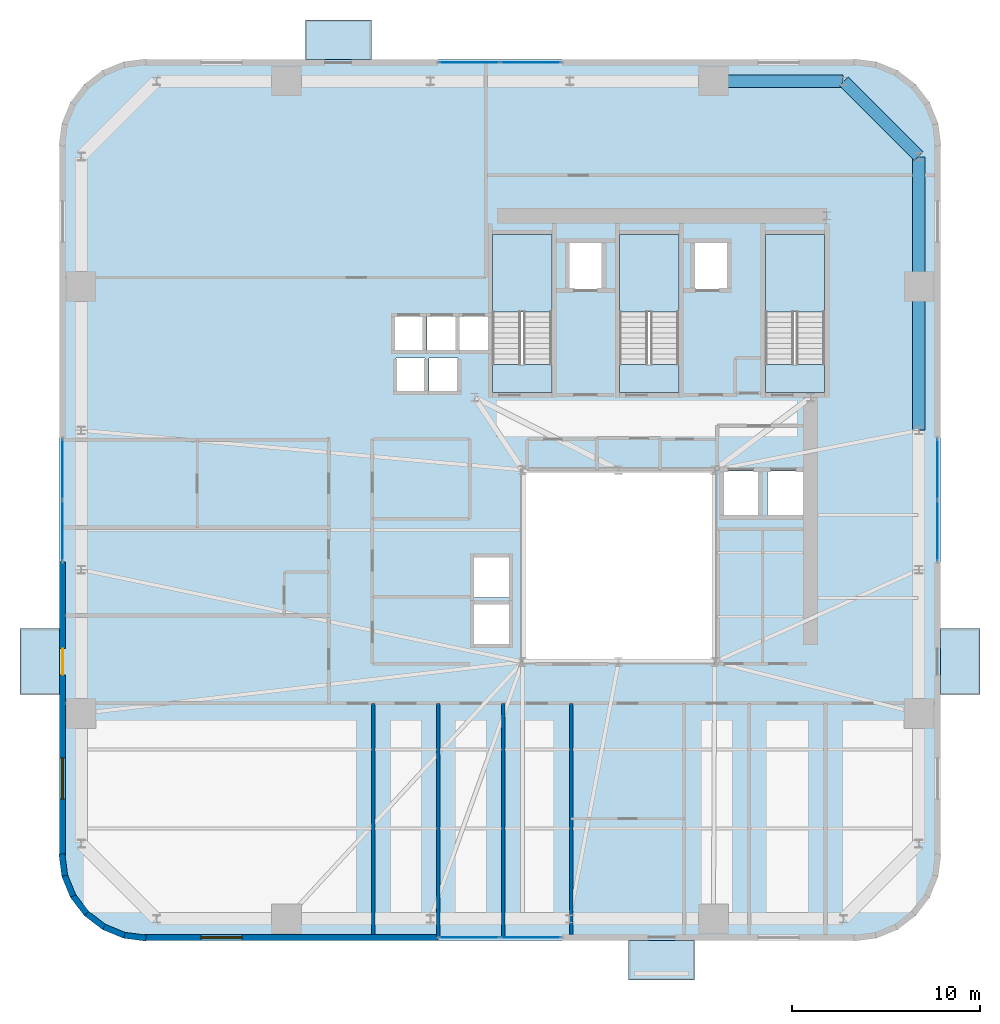
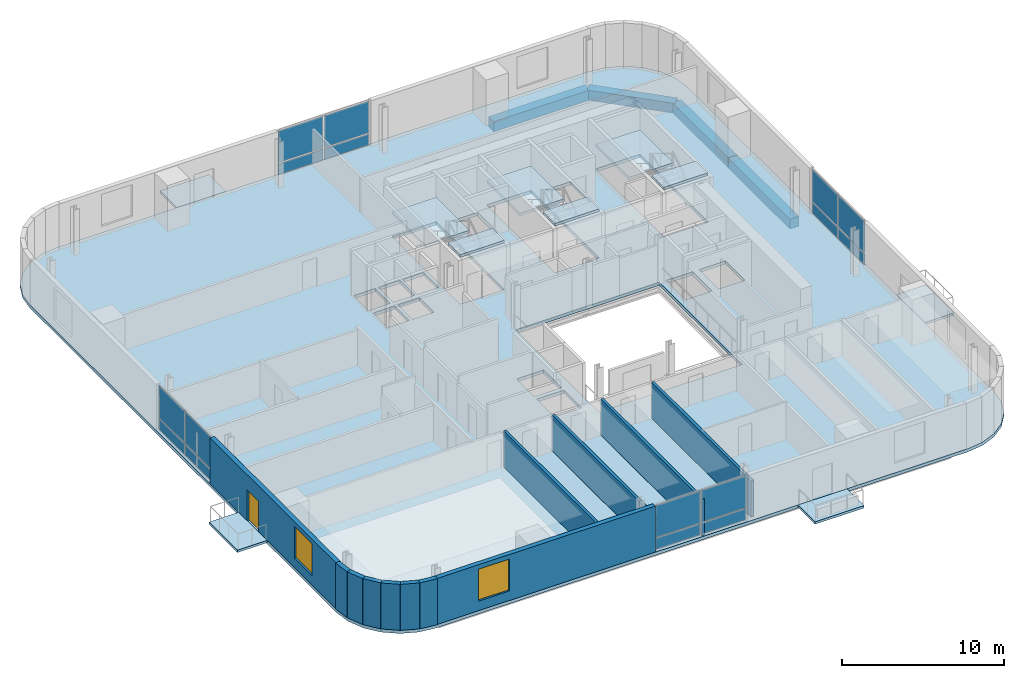
# One storey, part 5 of 11: 16 plates, 12 walls, 11 slabs, 4 beams, 2 windows, 1 door, 3 openings, 7 elements without a shape of their own.
"""IFC4 building model written with IfcOpenShell, lengths in metres."""

from ifc_helpers import new_model, si_unit, direction, frame, frame_2d, origin, origin_2d, place, context, subcontext, project, spatial, polyline, rectangle, outline, extrude, source, transform, mapped, material, layer, layer_set, material_profile, profile_set, type_object, element, fill, aggregate, save


model = new_model("IFC4")

# Units and contexts
model_context = context("Model", 3, precision=1e-05, world=origin(), true_north=direction((0.0, 1.0)))
body_context = subcontext(model_context, "Body", "Model", "MODEL_VIEW")
ifc_project = project(units=[si_unit("LENGTHUNIT", "METRE"), si_unit("AREAUNIT", "SQUARE_METRE"), si_unit("VOLUMEUNIT", "CUBIC_METRE"), si_unit("PLANEANGLEUNIT", "RADIAN"), si_unit("MASSUNIT", "GRAM", prefix="KILO")], contexts=[model_context])

# Site, building, storey
site_placement = place(None, origin())
site = spatial("IfcSite", under=ifc_project, at=site_placement, CompositionType="ELEMENT")
building_placement = place(site_placement, origin())
building = spatial("IfcBuilding", under=site, at=building_placement, Name="Vardaveli Station Tower", CompositionType="ELEMENT")
storey_placement = place(building_placement, frame((0.0, 0.0, 137.199951171875)))
storey = spatial("IfcBuildingStorey", under=building, at=storey_placement, Name="L35", CompositionType="ELEMENT", Elevation=137.199951171875)

# Beams
ifc_material_1 = material(Name="Precast concrete C45/55", Category="concrete")
ifc_material_profile = material_profile(ifc_material_1, rectangle(XDim=0.64990234375, YDim=0.75, at=origin_2d()), Name="LPB 650x750")
ifc_profile_set = profile_set([ifc_material_profile], Name="Precast concrete C45/55")
beam_type = type_object("IfcBeamType", Name="BM-LPB-750", PredefinedType="BEAM", material=ifc_profile_set)
shared_shape_1 = source(origin(), body_context, "Body", "SweptSolid", [
    extrude(rectangle(XDim=0.64990234375, YDim=0.75, at=origin_2d()), origin(), (0.0, 0.0, 1.0), 7.60009765625),
])
beam_1_placement = place(storey_placement, frame((52.25, 28.919921875, -0.614990234375), z_axis=(0.0, 1.0, 0.0), x_axis=(-1.0, 0.0, 0.0)))
element("IfcBeam", 1, at=beam_1_placement, inside=storey, type_object=beam_type, Name="RBM-L35-09", PredefinedType="BEAM", context=body_context, shape_type="MappedRepresentation", body=[
    mapped(shared_shape_1, transform((0.0, 0.0, 0.0), scale=1.0)),
])
shared_shape_2 = source(origin(), body_context, "Body", "SweptSolid", [
    extrude(rectangle(XDim=0.64990234375, YDim=0.75, at=origin_2d()), origin(), (0.0, 0.0, 1.0), 6.869873046875),
])
for number, where, z_axis, x_axis, name in (
    (2, (52.25, 36.56005859375, -0.614990234375), (0.0, 1.0, 0.0), (-1.0, 0.0, 0.0), "RBM-L35-10"),
    (3, (48.22998046875, 47.449951171875, -0.614990234375), (-1.0, 0.0, 0.0), (0.0, -1.0, 0.0), "RBM-L35-12"),
):
    element("IfcBeam", number, at=place(storey_placement, frame(where, z_axis=z_axis, x_axis=x_axis)), inside=storey, type_object=beam_type, Name=name, PredefinedType="BEAM", context=body_context, shape_type="MappedRepresentation", body=[
        mapped(shared_shape_2, transform((0.0, 0.0, 0.0), scale=1.0)),
    ])
shared_shape_3 = source(origin(), body_context, "Body", "SweptSolid", [
    extrude(rectangle(XDim=0.64990234375, YDim=0.75, at=origin_2d()), origin(), (0.0, 0.0, 1.0), 5.61669921875),
])
beam_2_placement = place(storey_placement, frame((52.23583984375, 43.464111328125, -0.614990234375), z_axis=(-0.707106781187, 0.707106781187, 0.0), x_axis=(-0.707106781187, -0.707106781187, 0.0)))
element("IfcBeam", 4, at=beam_2_placement, inside=storey, type_object=beam_type, Name="RBM-L35-11", PredefinedType="BEAM", context=body_context, shape_type="MappedRepresentation", body=[
    mapped(shared_shape_3, transform((0.0, 0.0, 0.0), scale=1.0)),
])

# Stair, slabs
ifc_material_2 = material(Name="Concrete C40/50", Category="concrete")
stair_type = type_object("IfcStairType", Name="STR-CORE-1500", PredefinedType="HALF_TURN_STAIR", material=ifc_material_2)
stair_1_placement = place(storey_placement, origin())
stair_1 = element("IfcStair", 5, at=stair_1_placement, inside=storey, type_object=stair_type, Name="L35 ST-1", PredefinedType="HALF_TURN_STAIR")
ifc_layer_1 = layer(ifc_material_2, 0.199951171875, Name="Concrete C40/50")
ifc_layer_set_1 = layer_set([ifc_layer_1], Name="Concrete C40/50")
slab_type_1 = type_object("IfcSlabType", Name="SLB-LAND-200", PredefinedType="LANDING", material=ifc_layer_set_1)
slab_1_placement = place(storey_placement, frame((0.0, 0.0, 1.650146484375)))
slab_1 = element("IfcSlab", 6, at=slab_1_placement, type_object=slab_type_1, Name="ST-1 landing 1", PredefinedType="LANDING", context=body_context, shape_type="SweptSolid", body=[
    extrude(outline(polyline([(32.75, 35.199951171875), (32.75, 39.300048828125), (29.60009765625, 39.300048828125), (29.60009765625, 35.199951171875), (32.75, 35.199951171875)])), origin(), (0.0, 0.0, 1.0), 0.199951171875),
])
slab_2_placement = place(storey_placement, frame((0.0, 0.0, 3.5)))
slab_2 = element("IfcSlab", 7, at=slab_2_placement, type_object=slab_type_1, Name="ST-1 landing 2", PredefinedType="LANDING", context=body_context, shape_type="SweptSolid", body=[
    extrude(outline(polyline([(32.75, 30.89990234375), (32.75, 32.39990234375), (29.60009765625, 32.39990234375), (29.60009765625, 30.89990234375), (32.75, 30.89990234375)])), origin(), (0.0, 0.0, 1.0), 0.199951171875),
])
aggregate(stair_1, [slab_1, slab_2])

stair_2_placement = place(storey_placement, origin())
stair_2 = element("IfcStair", 8, at=stair_2_placement, inside=storey, type_object=stair_type, Name="L35 ST-2", PredefinedType="HALF_TURN_STAIR")
slab_3_placement = place(storey_placement, frame((0.0, 0.0, 1.650146484375)))
slab_3 = element("IfcSlab", 9, at=slab_3_placement, type_object=slab_type_1, Name="ST-2 landing 1", PredefinedType="LANDING", context=body_context, shape_type="SweptSolid", body=[
    extrude(outline(polyline([(39.5, 35.199951171875), (39.5, 39.300048828125), (36.35009765625, 39.300048828125), (36.35009765625, 35.199951171875), (39.5, 35.199951171875)])), origin(), (0.0, 0.0, 1.0), 0.199951171875),
])
slab_4_placement = place(storey_placement, frame((0.0, 0.0, 3.5)))
slab_4 = element("IfcSlab", 10, at=slab_4_placement, type_object=slab_type_1, Name="ST-2 landing 2", PredefinedType="LANDING", context=body_context, shape_type="SweptSolid", body=[
    extrude(outline(polyline([(39.5, 30.89990234375), (39.5, 32.39990234375), (36.35009765625, 32.39990234375), (36.35009765625, 30.89990234375), (39.5, 30.89990234375)])), origin(), (0.0, 0.0, 1.0), 0.199951171875),
])
aggregate(stair_2, [slab_3, slab_4])

stair_3_placement = place(storey_placement, origin())
stair_3 = element("IfcStair", 11, at=stair_3_placement, inside=storey, type_object=stair_type, Name="L35 ST-3", PredefinedType="HALF_TURN_STAIR")
slab_5_placement = place(storey_placement, frame((0.0, 0.0, 1.650146484375)))
slab_5 = element("IfcSlab", 12, at=slab_5_placement, type_object=slab_type_1, Name="ST-3 landing 1", PredefinedType="LANDING", context=body_context, shape_type="SweptSolid", body=[
    extrude(outline(polyline([(47.25, 35.199951171875), (47.25, 39.300048828125), (44.10009765625, 39.300048828125), (44.10009765625, 35.199951171875), (47.25, 35.199951171875)])), origin(), (0.0, 0.0, 1.0), 0.199951171875),
])
slab_6_placement = place(storey_placement, frame((0.0, 0.0, 3.5)))
slab_6 = element("IfcSlab", 13, at=slab_6_placement, type_object=slab_type_1, Name="ST-3 landing 2", PredefinedType="LANDING", context=body_context, shape_type="SweptSolid", body=[
    extrude(outline(polyline([(47.25, 30.89990234375), (47.25, 32.39990234375), (44.10009765625, 32.39990234375), (44.10009765625, 30.89990234375), (47.25, 30.89990234375)])), origin(), (0.0, 0.0, 1.0), 0.199951171875),
])
aggregate(stair_3, [slab_5, slab_6])

# Slabs
ifc_layer_2 = layer(ifc_material_1, 0.179931640625, Name="Precast concrete C45/55")
ifc_layer_set_2 = layer_set([ifc_layer_2], Name="Precast concrete C45/55")
slab_type_2 = type_object("IfcSlabType", Name="SLB-LOGGIA-180", PredefinedType="FLOOR", material=ifc_layer_set_2)
slab_7_placement = place(storey_placement, frame((0.0, 0.0, -0.179931640625)))
element("IfcSlab", 14, at=slab_7_placement, inside=storey, type_object=slab_type_2, Name="LOG-L35-S", PredefinedType="FLOOR", context=body_context, shape_type="SweptSolid", body=[
    extrude(outline(polyline([(36.839599609375, -0.300048828125), (40.339599609375, -0.300048828125), (40.339599609375, 1.800048828125), (36.839599609375, 1.800048828125), (36.839599609375, -0.300048828125)])), origin(), (0.0, 0.0, 1.0), 0.179931640625),
])
slab_8_placement = place(storey_placement, frame((0.0, 0.0, -0.179931640625)))
element("IfcSlab", 15, at=slab_8_placement, inside=storey, type_object=slab_type_2, Name="LOG-L35-N", PredefinedType="FLOOR", context=body_context, shape_type="SweptSolid", body=[
    extrude(outline(polyline([(19.660400390625, 48.60009765625), (23.160400390625, 48.60009765625), (23.160400390625, 50.699951171875), (19.660400390625, 50.699951171875), (19.660400390625, 48.60009765625)])), origin(), (0.0, 0.0, 1.0), 0.179931640625),
])
slab_9_placement = place(storey_placement, frame((0.0, 0.0, -0.179931640625)))
element("IfcSlab", 16, at=slab_9_placement, inside=storey, type_object=slab_type_2, Name="LOG-L35-W", PredefinedType="FLOOR", context=body_context, shape_type="SweptSolid", body=[
    extrude(outline(polyline([(4.5, 14.8603515625), (6.60009765625, 14.8603515625), (6.60009765625, 18.3603515625), (4.5, 18.3603515625), (4.5, 14.8603515625)])), origin(), (0.0, 0.0, 1.0), 0.179931640625),
])
slab_10_placement = place(storey_placement, frame((0.0, 0.0, -0.179931640625)))
element("IfcSlab", 17, at=slab_10_placement, inside=storey, type_object=slab_type_2, Name="LOG-L35-E", PredefinedType="FLOOR", context=body_context, shape_type="SweptSolid", body=[
    extrude(outline(polyline([(53.39990234375, 14.8603515625), (55.5, 14.8603515625), (55.5, 18.3603515625), (53.39990234375, 18.3603515625), (53.39990234375, 14.8603515625)])), origin(), (0.0, 0.0, 1.0), 0.179931640625),
])
ifc_layer_3 = layer(ifc_material_2, 0.239990234375, Name="Concrete C40/50")
ifc_layer_set_3 = layer_set([ifc_layer_3], Name="Concrete C40/50")
slab_type_3 = type_object("IfcSlabType", Name="SLB-TOW-240", PredefinedType="FLOOR", material=ifc_layer_set_3)
slab_11_placement = place(storey_placement, frame((0.0, 0.0, -0.239990234375)))
element("IfcSlab", 18, at=slab_11_placement, inside=storey, type_object=slab_type_3, Name="SLB-L35-MAIN", PredefinedType="FLOOR", context=body_context, shape_type="SweptSolid", body=[
    extrude(outline(polyline([(6.60009765625, 6.300048828125), (6.75341796875, 5.13525390625), (7.202880859375, 4.050048828125), (7.91796875, 3.117919921875), (8.85009765625, 2.40283203125), (9.935302734375, 1.953369140625), (11.10009765625, 1.800048828125), (48.89990234375, 1.800048828125), (50.064697265625, 1.953369140625), (51.14990234375, 2.40283203125), (52.08203125, 3.117919921875), (52.797119140625, 4.050048828125), (53.24658203125, 5.13525390625), (53.39990234375, 6.300048828125), (53.39990234375, 44.10009765625), (53.24658203125, 45.2646484375), (52.797119140625, 46.35009765625), (52.08203125, 47.281982421875), (51.14990234375, 47.9970703125), (50.064697265625, 48.44677734375), (48.89990234375, 48.60009765625), (11.10009765625, 48.60009765625), (9.935302734375, 48.44677734375), (8.85009765625, 47.9970703125), (7.91796875, 47.281982421875), (7.202880859375, 46.35009765625), (6.75341796875, 45.2646484375), (6.60009765625, 44.10009765625), (6.60009765625, 6.300048828125)]), holes=[polyline([(31.199951171875, 16.60009765625), (41.39990234375, 16.60009765625), (41.39990234375, 26.800048828125), (31.199951171875, 26.800048828125), (31.199951171875, 16.60009765625)]), polyline([(32.75, 30.89990234375), (32.75, 39.300048828125), (29.60009765625, 39.300048828125), (29.60009765625, 30.89990234375), (32.75, 30.89990234375)]), polyline([(39.5, 30.89990234375), (39.5, 39.300048828125), (36.35009765625, 39.300048828125), (36.35009765625, 30.89990234375), (39.5, 30.89990234375)]), polyline([(47.25, 30.89990234375), (47.25, 39.300048828125), (44.10009765625, 39.300048828125), (44.10009765625, 30.89990234375), (47.25, 30.89990234375)]), polyline([(24.385009765625, 33.135009765625), (25.9150390625, 33.135009765625), (25.9150390625, 34.965087890625), (24.385009765625, 34.965087890625), (24.385009765625, 33.135009765625)]), polyline([(26.135009765625, 33.135009765625), (27.6650390625, 33.135009765625), (27.6650390625, 34.965087890625), (26.135009765625, 34.965087890625), (26.135009765625, 33.135009765625)]), polyline([(27.8349609375, 33.135009765625), (29.364990234375, 33.135009765625), (29.364990234375, 34.965087890625), (27.8349609375, 34.965087890625), (27.8349609375, 33.135009765625)]), polyline([(33.659912109375, 36.409912109375), (35.43994140625, 36.409912109375), (35.43994140625, 38.889892578125), (33.659912109375, 38.889892578125), (33.659912109375, 36.409912109375)]), polyline([(40.31005859375, 36.409912109375), (42.090087890625, 36.409912109375), (42.090087890625, 38.889892578125), (40.31005859375, 38.889892578125), (40.31005859375, 36.409912109375)]), polyline([(24.485107421875, 30.9599609375), (26.014892578125, 30.9599609375), (26.014892578125, 32.739990234375), (24.485107421875, 32.739990234375), (24.485107421875, 30.9599609375)]), polyline([(26.235107421875, 30.9599609375), (27.764892578125, 30.9599609375), (27.764892578125, 32.739990234375), (26.235107421875, 32.739990234375), (26.235107421875, 30.9599609375)]), polyline([(28.5849609375, 17.510009765625), (30.514892578125, 17.510009765625), (30.514892578125, 19.68994140625), (28.5849609375, 19.68994140625), (28.5849609375, 17.510009765625)]), polyline([(28.5849609375, 20.010009765625), (30.514892578125, 20.010009765625), (30.514892578125, 22.18994140625), (28.5849609375, 22.18994140625), (28.5849609375, 20.010009765625)]), polyline([(41.860107421875, 24.360107421875), (43.739990234375, 24.360107421875), (43.739990234375, 26.739990234375), (41.860107421875, 26.739990234375), (41.860107421875, 24.360107421875)]), polyline([(44.2099609375, 24.360107421875), (46.090087890625, 24.360107421875), (46.090087890625, 26.739990234375), (44.2099609375, 26.739990234375), (44.2099609375, 24.360107421875)])]), origin(), (0.0, 0.0, 1.0), 0.239990234375),
])

# Curtain wall, plates
ifc_material_3 = material(Name="Travertine stone and solar-control glass", Category="masonry")
curtain_wall_type = type_object("IfcCurtainWallType", Name="CW-SYS-2", PredefinedType="NOTDEFINED", material=ifc_material_3)
curtain_wall_1_placement = place(storey_placement, origin())
curtain_wall_1 = element("IfcCurtainWall", 19, at=curtain_wall_1_placement, inside=storey, type_object=curtain_wall_type, Name="CW-L35-S", PredefinedType="NOTDEFINED")
ifc_material_4 = material(Name="Double-glazed low-E solar-control glass", Category="glass")
ifc_layer_4 = layer(ifc_material_4, 0.035888671875, Name="Double-glazed low-E solar-control glass")
ifc_layer_set_4 = layer_set([ifc_layer_4], Name="Double-glazed low-E solar-control glass")
plate_type = type_object("IfcPlateType", Name="CW-SYS-2-PAN", PredefinedType="CURTAIN_PANEL", material=ifc_layer_set_4)
shared_shape_4 = source(origin(), body_context, "Body", "SweptSolid", [
    extrude(rectangle(XDim=3.172607421875, YDim=0.035888671875, at=origin_2d()), origin(), (0.0, 0.0, 1.0), 0.822509765625),
])
plate_1_placement = place(storey_placement, frame((28.371337890625, 1.9599609375, 0.0849609375), z_axis=(0.0, 0.0, 1.0), x_axis=(1.0, 0.0, 0.0)))
plate_1 = element("IfcPlate", 20, at=plate_1_placement, type_object=plate_type, Name="CW-2 panel 1.1", PredefinedType="CURTAIN_PANEL", context=body_context, shape_type="MappedRepresentation", body=[
    mapped(shared_shape_4, transform((0.0, 0.0, 0.0), scale=1.0)),
])
plate_2_placement = place(storey_placement, frame((31.628662109375, 1.9599609375, 0.0849609375), z_axis=(0.0, 0.0, 1.0), x_axis=(1.0, 0.0, 0.0)))
plate_2 = element("IfcPlate", 21, at=plate_2_placement, type_object=plate_type, Name="CW-2 panel 2.1", PredefinedType="CURTAIN_PANEL", context=body_context, shape_type="MappedRepresentation", body=[
    mapped(shared_shape_4, transform((0.0, 0.0, 0.0), scale=1.0)),
])

curtain_wall_2_placement = place(storey_placement, origin())
curtain_wall_2 = element("IfcCurtainWall", 22, at=curtain_wall_2_placement, inside=storey, type_object=curtain_wall_type, Name="CW-L35-N", PredefinedType="NOTDEFINED")
plate_3_placement = place(storey_placement, frame((31.628662109375, 48.43994140625, 0.0849609375), z_axis=(0.0, 0.0, 1.0), x_axis=(-1.0, 0.0, 0.0)))
plate_3 = element("IfcPlate", 23, at=plate_3_placement, type_object=plate_type, Name="CW-2 panel 1.1", PredefinedType="CURTAIN_PANEL", context=body_context, shape_type="MappedRepresentation", body=[
    mapped(shared_shape_4, transform((0.0, 0.0, 0.0), scale=1.0)),
])
plate_4_placement = place(storey_placement, frame((28.371337890625, 48.43994140625, 0.0849609375), z_axis=(0.0, 0.0, 1.0), x_axis=(-1.0, 0.0, 0.0)))
plate_4 = element("IfcPlate", 24, at=plate_4_placement, type_object=plate_type, Name="CW-2 panel 2.1", PredefinedType="CURTAIN_PANEL", context=body_context, shape_type="MappedRepresentation", body=[
    mapped(shared_shape_4, transform((0.0, 0.0, 0.0), scale=1.0)),
])

curtain_wall_3_placement = place(storey_placement, origin())
curtain_wall_3 = element("IfcCurtainWall", 25, at=curtain_wall_3_placement, inside=storey, type_object=curtain_wall_type, Name="CW-L35-W", PredefinedType="NOTDEFINED")
plate_5_placement = place(storey_placement, frame((6.760009765625, 26.828857421875, 0.0849609375), z_axis=(0.0, 0.0, 1.0), x_axis=(0.0, -1.0, 0.0)))
plate_5 = element("IfcPlate", 26, at=plate_5_placement, type_object=plate_type, Name="CW-2 panel 1.1", PredefinedType="CURTAIN_PANEL", context=body_context, shape_type="MappedRepresentation", body=[
    mapped(shared_shape_4, transform((0.0, 0.0, 0.0), scale=1.0)),
])
plate_6_placement = place(storey_placement, frame((6.760009765625, 23.5712890625, 0.0849609375), z_axis=(0.0, 0.0, 1.0), x_axis=(0.0, -1.0, 0.0)))
plate_6 = element("IfcPlate", 27, at=plate_6_placement, type_object=plate_type, Name="CW-2 panel 2.1", PredefinedType="CURTAIN_PANEL", context=body_context, shape_type="MappedRepresentation", body=[
    mapped(shared_shape_4, transform((0.0, 0.0, 0.0), scale=1.0)),
])

curtain_wall_4_placement = place(storey_placement, origin())
curtain_wall_4 = element("IfcCurtainWall", 28, at=curtain_wall_4_placement, inside=storey, type_object=curtain_wall_type, Name="CW-L35-E", PredefinedType="NOTDEFINED")
plate_7_placement = place(storey_placement, frame((53.239990234375, 23.5712890625, 0.0849609375), z_axis=(0.0, 0.0, 1.0), x_axis=(0.0, 1.0, 0.0)))
plate_7 = element("IfcPlate", 29, at=plate_7_placement, type_object=plate_type, Name="CW-2 panel 1.1", PredefinedType="CURTAIN_PANEL", context=body_context, shape_type="MappedRepresentation", body=[
    mapped(shared_shape_4, transform((0.0, 0.0, 0.0), scale=1.0)),
])
plate_8_placement = place(storey_placement, frame((53.239990234375, 26.828857421875, 0.0849609375), z_axis=(0.0, 0.0, 1.0), x_axis=(0.0, 1.0, 0.0)))
plate_8 = element("IfcPlate", 30, at=plate_8_placement, type_object=plate_type, Name="CW-2 panel 2.1", PredefinedType="CURTAIN_PANEL", context=body_context, shape_type="MappedRepresentation", body=[
    mapped(shared_shape_4, transform((0.0, 0.0, 0.0), scale=1.0)),
])

# Plate
shared_shape_5 = source(origin(), body_context, "Body", "SweptSolid", [
    extrude(rectangle(XDim=3.172607421875, YDim=0.035888671875, at=origin_2d()), origin(), (0.0, 0.0, 1.0), 2.382568359375),
])
plate_9_placement = place(storey_placement, frame((28.371337890625, 1.9599609375, 0.99267578125), z_axis=(0.0, 0.0, 1.0), x_axis=(1.0, 0.0, 0.0)))
plate_9 = element("IfcPlate", 31, at=plate_9_placement, type_object=plate_type, Name="CW-2 panel 1.2", PredefinedType="CURTAIN_PANEL", context=body_context, shape_type="MappedRepresentation", body=[
    mapped(shared_shape_5, transform((0.0, 0.0, 0.0), scale=1.0)),
])

plate_10_placement = place(storey_placement, frame((31.628662109375, 1.9599609375, 0.99267578125), z_axis=(0.0, 0.0, 1.0), x_axis=(1.0, 0.0, 0.0)))
plate_10 = element("IfcPlate", 32, at=plate_10_placement, type_object=plate_type, Name="CW-2 panel 2.2", PredefinedType="CURTAIN_PANEL", context=body_context, shape_type="MappedRepresentation", body=[
    mapped(shared_shape_5, transform((0.0, 0.0, 0.0), scale=1.0)),
])

aggregate(curtain_wall_1, [plate_1, plate_9, plate_2, plate_10])

plate_11_placement = place(storey_placement, frame((31.628662109375, 48.43994140625, 0.99267578125), z_axis=(0.0, 0.0, 1.0), x_axis=(-1.0, 0.0, 0.0)))
plate_11 = element("IfcPlate", 33, at=plate_11_placement, type_object=plate_type, Name="CW-2 panel 1.2", PredefinedType="CURTAIN_PANEL", context=body_context, shape_type="MappedRepresentation", body=[
    mapped(shared_shape_5, transform((0.0, 0.0, 0.0), scale=1.0)),
])

plate_12_placement = place(storey_placement, frame((28.371337890625, 48.43994140625, 0.99267578125), z_axis=(0.0, 0.0, 1.0), x_axis=(-1.0, 0.0, 0.0)))
plate_12 = element("IfcPlate", 34, at=plate_12_placement, type_object=plate_type, Name="CW-2 panel 2.2", PredefinedType="CURTAIN_PANEL", context=body_context, shape_type="MappedRepresentation", body=[
    mapped(shared_shape_5, transform((0.0, 0.0, 0.0), scale=1.0)),
])

aggregate(curtain_wall_2, [plate_3, plate_11, plate_4, plate_12])

plate_13_placement = place(storey_placement, frame((6.760009765625, 26.828857421875, 0.99267578125), z_axis=(0.0, 0.0, 1.0), x_axis=(0.0, -1.0, 0.0)))
plate_13 = element("IfcPlate", 35, at=plate_13_placement, type_object=plate_type, Name="CW-2 panel 1.2", PredefinedType="CURTAIN_PANEL", context=body_context, shape_type="MappedRepresentation", body=[
    mapped(shared_shape_5, transform((0.0, 0.0, 0.0), scale=1.0)),
])

plate_14_placement = place(storey_placement, frame((6.760009765625, 23.5712890625, 0.99267578125), z_axis=(0.0, 0.0, 1.0), x_axis=(0.0, -1.0, 0.0)))
plate_14 = element("IfcPlate", 36, at=plate_14_placement, type_object=plate_type, Name="CW-2 panel 2.2", PredefinedType="CURTAIN_PANEL", context=body_context, shape_type="MappedRepresentation", body=[
    mapped(shared_shape_5, transform((0.0, 0.0, 0.0), scale=1.0)),
])

aggregate(curtain_wall_3, [plate_5, plate_13, plate_6, plate_14])

plate_15_placement = place(storey_placement, frame((53.239990234375, 23.5712890625, 0.99267578125), z_axis=(0.0, 0.0, 1.0), x_axis=(0.0, 1.0, 0.0)))
plate_15 = element("IfcPlate", 37, at=plate_15_placement, type_object=plate_type, Name="CW-2 panel 1.2", PredefinedType="CURTAIN_PANEL", context=body_context, shape_type="MappedRepresentation", body=[
    mapped(shared_shape_5, transform((0.0, 0.0, 0.0), scale=1.0)),
])

plate_16_placement = place(storey_placement, frame((53.239990234375, 26.828857421875, 0.99267578125), z_axis=(0.0, 0.0, 1.0), x_axis=(0.0, 1.0, 0.0)))
plate_16 = element("IfcPlate", 38, at=plate_16_placement, type_object=plate_type, Name="CW-2 panel 2.2", PredefinedType="CURTAIN_PANEL", context=body_context, shape_type="MappedRepresentation", body=[
    mapped(shared_shape_5, transform((0.0, 0.0, 0.0), scale=1.0)),
])

aggregate(curtain_wall_4, [plate_7, plate_15, plate_8, plate_16])

# Wall, opening, window
ifc_layer_5 = layer(ifc_material_1, 0.320068359375, Name="Precast concrete C45/55")
ifc_layer_set_5 = layer_set([ifc_layer_5], Name="Precast concrete C45/55")
wall_type_1 = type_object("IfcWallType", Name="WAL-EXT-STONE-320", PredefinedType="SOLIDWALL", material=ifc_layer_set_5)
shared_shape_6 = source(origin(), body_context, "Body", "SweptSolid", [
    extrude(rectangle(XDim=15.599853515625, YDim=0.320068359375, at=frame_2d((7.7998046875, 0.0))), origin(), (0.0, 0.0, 1.0), 3.4599609375),
])
wall_1_placement = place(storey_placement, frame((11.10009765625, 1.9599609375, 0.0), z_axis=(0.0, 0.0, 1.0), x_axis=(1.0, 0.0, 0.0)))
wall_1 = element("IfcWall", 39, at=wall_1_placement, inside=storey, type_object=wall_type_1, Name="EW-L35-S1", PredefinedType="SOLIDWALL", context=body_context, shape_type="MappedRepresentation", body=[
    mapped(shared_shape_6, transform((0.0, 0.0, 0.0), scale=1.0)),
])
shared_shape_7 = source(origin(), body_context, "Body", "SweptSolid", [
    extrude(rectangle(XDim=2.199951171875, YDim=2.39990234375, at=frame_2d((1.10009765625, 1.199951171875))), frame((0.0, 0.169921875, 0.0), z_axis=(0.0, -1.0, 0.0), x_axis=(1.0, 0.0, 0.0)), (0.0, 0.0, 1.0), 0.340087890625),
])
opening_1_placement = place(wall_1_placement, frame((3.0048828125, 0.0, 0.719970703125)))
opening_1 = element("IfcOpeningElement", 40, at=opening_1_placement, cuts=wall_1, Name="Opening W-03", PredefinedType="OPENING", context=body_context, shape_type="MappedRepresentation", body=[
    mapped(shared_shape_7, transform((0.0, 0.0, 0.0), scale=1.0)),
])
ifc_material_5 = material(Name="Low-E solar-control glass", Category="glass")
window_type = type_object("IfcWindowType", Name="WIN-LOG-2200x2400", PartitioningType="SINGLE_PANEL", PredefinedType="WINDOW", material=ifc_material_5)
shared_shape_8 = source(origin(), body_context, "Body", "SweptSolid", [
    extrude(rectangle(XDim=2.199951171875, YDim=2.39990234375, at=frame_2d((1.10009765625, 1.199951171875))), frame((0.0, 0.030029296875, 0.0), z_axis=(0.0, -1.0, 0.0), x_axis=(1.0, 0.0, 0.0)), (0.0, 0.0, 1.0), 0.06005859375),
])
window_1_placement = place(opening_1_placement, origin())
window_1 = element("IfcWindow", 41, at=window_1_placement, inside=storey, type_object=window_type, Name="WN-L35-S1", OverallHeight=2.39990234375, OverallWidth=2.199951171875, PartitioningType="SINGLE_PANEL", PredefinedType="WINDOW", context=body_context, shape_type="MappedRepresentation", body=[
    mapped(shared_shape_8, transform((0.0, 0.0, 0.0), scale=1.0)),
])
fill(opening_1, window_1)

# Wall, openings, door, window
wall_2_placement = place(storey_placement, frame((6.760009765625, 21.89990234375, 0.0), z_axis=(0.0, 0.0, 1.0), x_axis=(0.0, -1.0, 0.0)))
wall_2 = element("IfcWall", 42, at=wall_2_placement, inside=storey, type_object=wall_type_1, Name="EW-L35-W2", PredefinedType="SOLIDWALL", context=body_context, shape_type="MappedRepresentation", body=[
    mapped(shared_shape_6, transform((0.0, 0.0, 0.0), scale=1.0)),
])
shared_shape_9 = source(origin(), body_context, "Body", "SweptSolid", [
    extrude(rectangle(XDim=1.39990234375, YDim=2.300048828125, at=frame_2d((0.699951171875, 1.14990234375))), frame((0.0, 0.169921875, 0.0), z_axis=(0.0, -1.0, 0.0), x_axis=(1.0, 0.0, 0.0)), (0.0, 0.0, 1.0), 0.340087890625),
])
opening_2_placement = place(wall_2_placement, frame((4.589599609375, 0.0, 0.0)))
opening_2 = element("IfcOpeningElement", 43, at=opening_2_placement, cuts=wall_2, Name="Opening D-09", PredefinedType="OPENING", context=body_context, shape_type="MappedRepresentation", body=[
    mapped(shared_shape_9, transform((0.0, 0.0, 0.0), scale=1.0)),
])
opening_3_placement = place(wall_2_placement, frame((10.39501953125, 0.0, 0.719970703125)))
opening_3 = element("IfcOpeningElement", 44, at=opening_3_placement, cuts=wall_2, Name="Opening W-03", PredefinedType="OPENING", context=body_context, shape_type="MappedRepresentation", body=[
    mapped(shared_shape_7, transform((0.0, 0.0, 0.0), scale=1.0)),
])
ifc_material_6 = material(Name="Thermally broken aluminium glass", Category="aluminium")
door_type = type_object("IfcDoorType", Name="DR-LOG-1400x2300", OperationType="DOUBLE_DOOR_SLIDING", PredefinedType="DOOR", material=ifc_material_6)
shared_shape_10 = source(origin(), body_context, "Body", "SweptSolid", [
    extrude(rectangle(XDim=1.39990234375, YDim=2.300048828125, at=frame_2d((0.699951171875, 1.14990234375))), frame((0.0, 0.02490234375, 0.0), z_axis=(0.0, -1.0, 0.0), x_axis=(1.0, 0.0, 0.0)), (0.0, 0.0, 1.0), 0.050048828125),
])
door_placement = place(opening_2_placement, frame((1.39990234375, 0.0, 0.0), z_axis=(0.0, 0.0, 1.0), x_axis=(-1.0, 0.0, 0.0)))
door = element("IfcDoor", 45, at=door_placement, inside=storey, type_object=door_type, Name="DLG-L35-W", OperationType="DOUBLE_DOOR_SLIDING", OverallHeight=2.300048828125, OverallWidth=1.39990234375, PredefinedType="DOOR", context=body_context, shape_type="MappedRepresentation", body=[
    mapped(shared_shape_10, transform((0.0, 0.0, 0.0), scale=1.0)),
])
fill(opening_2, door)
window_2_placement = place(opening_3_placement, origin())
window_2 = element("IfcWindow", 46, at=window_2_placement, inside=storey, type_object=window_type, Name="WN-L35-W2", OverallHeight=2.39990234375, OverallWidth=2.199951171875, PartitioningType="SINGLE_PANEL", PredefinedType="WINDOW", context=body_context, shape_type="MappedRepresentation", body=[
    mapped(shared_shape_8, transform((0.0, 0.0, 0.0), scale=1.0)),
])
fill(opening_3, window_2)

# Walls
shared_shape_11 = source(origin(), body_context, "Body", "SweptSolid", [
    extrude(rectangle(XDim=1.170654296875, YDim=0.320068359375, at=frame_2d((0.58544921875, 0.0))), origin(), (0.0, 0.0, 1.0), 3.4599609375),
])
wall_3_placement = place(storey_placement, frame((6.724365234375, 6.400634765625, 0.0), z_axis=(0.0, 0.0, 1.0), x_axis=(0.128269133229, -0.991739395941, 0.0)))
element("IfcWall", 47, at=wall_3_placement, inside=storey, type_object=wall_type_1, Name="EW-L35-CR1-1", PredefinedType="SOLIDWALL", context=body_context, shape_type="MappedRepresentation", body=[
    mapped(shared_shape_11, transform((0.0, 0.0, 0.0), scale=1.0)),
])
shared_shape_12 = source(origin(), body_context, "Body", "SweptSolid", [
    extrude(rectangle(XDim=1.1689453125, YDim=0.320068359375, at=frame_2d((0.58447265625, 0.0))), origin(), (0.0, 0.0, 1.0), 3.4599609375),
])
for number, where, z_axis, x_axis, name in (
    (48, (6.87451171875, 5.23974609375, 0.0), (0.0, 0.0, 1.0), (0.381127904695, -0.924522320046, 0.0), "EW-L35-CR1-2"),
    (49, (7.320068359375, 4.158935546875, 0.0), (0.0, 0.0, 1.0), (0.608387696831, -0.793639975269, 0.0), "EW-L35-CR1-3"),
):
    element("IfcWall", number, at=place(storey_placement, frame(where, z_axis=z_axis, x_axis=x_axis)), inside=storey, type_object=wall_type_1, Name=name, PredefinedType="SOLIDWALL", context=body_context, shape_type="MappedRepresentation", body=[
        mapped(shared_shape_12, transform((0.0, 0.0, 0.0), scale=1.0)),
    ])
shared_shape_13 = source(origin(), body_context, "Body", "SweptSolid", [
    extrude(rectangle(XDim=1.168701171875, YDim=0.320068359375, at=frame_2d((0.58447265625, 0.0))), origin(), (0.0, 0.0, 1.0), 3.4599609375),
])
wall_4_placement = place(storey_placement, frame((8.03125, 3.231201171875, 0.0), z_axis=(0.0, 0.0, 1.0), x_axis=(0.793663520347, -0.608356981114, 0.0)))
element("IfcWall", 50, at=wall_4_placement, inside=storey, type_object=wall_type_1, Name="EW-L35-CR1-4", PredefinedType="SOLIDWALL", context=body_context, shape_type="MappedRepresentation", body=[
    mapped(shared_shape_13, transform((0.0, 0.0, 0.0), scale=1.0)),
])
shared_shape_14 = source(origin(), body_context, "Body", "SweptSolid", [
    extrude(rectangle(XDim=1.16943359375, YDim=0.320068359375, at=frame_2d((0.584716796875, 0.0))), origin(), (0.0, 0.0, 1.0), 3.4599609375),
])
wall_5_placement = place(storey_placement, frame((8.958740234375, 2.520263671875, 0.0), z_axis=(0.0, 0.0, 1.0), x_axis=(0.924479075121, -0.381232789334, 0.0)))
element("IfcWall", 51, at=wall_5_placement, inside=storey, type_object=wall_type_1, Name="EW-L35-CR1-5", PredefinedType="SOLIDWALL", context=body_context, shape_type="MappedRepresentation", body=[
    mapped(shared_shape_14, transform((0.0, 0.0, 0.0), scale=1.0)),
])
shared_shape_15 = source(origin(), body_context, "Body", "SweptSolid", [
    extrude(rectangle(XDim=1.170166015625, YDim=0.320068359375, at=frame_2d((0.5849609375, 0.0))), origin(), (0.0, 0.0, 1.0), 3.4599609375),
])
wall_6_placement = place(storey_placement, frame((10.039794921875, 2.074462890625, 0.0), z_axis=(0.0, 0.0, 1.0), x_axis=(0.991762485493, -0.128090485085, 0.0)))
element("IfcWall", 52, at=wall_6_placement, inside=storey, type_object=wall_type_1, Name="EW-L35-CR1-6", PredefinedType="SOLIDWALL", context=body_context, shape_type="MappedRepresentation", body=[
    mapped(shared_shape_15, transform((0.0, 0.0, 0.0), scale=1.0)),
])
ifc_material_7 = material(Name="Acoustic twin-stud gypsum partition")
ifc_layer_6 = layer(ifc_material_7, 0.199951171875, Name="Acoustic twin-stud gypsum partition")
ifc_layer_set_6 = layer_set([ifc_layer_6], Name="Acoustic twin-stud gypsum partition")
wall_type_2 = type_object("IfcWallType", Name="WAL-PARTY-200", PredefinedType="PARTITIONING", material=ifc_layer_set_6)
shared_shape_16 = source(origin(), body_context, "Body", "SweptSolid", [
    extrude(rectangle(XDim=12.27783203125, YDim=0.199951171875, at=frame_2d((6.138916015625, 0.0))), origin(), (0.0, 0.0, 1.0), 2.7021484375),
])
for number, where, z_axis, x_axis, name in (
    (53, (23.27001953125, 2.1220703125, 0.0), (0.0, 0.0, 1.0), (0.0, 1.0, 0.0), "W-L35-PS1"),
    (54, (33.779052734375, 2.1220703125, 0.0), (0.0, 0.0, 1.0), (0.0, 1.0, 0.0), "W-L35-PS4"),
):
    element("IfcWall", number, at=place(storey_placement, frame(where, z_axis=z_axis, x_axis=x_axis)), inside=storey, type_object=wall_type_2, Name=name, PredefinedType="PARTITIONING", context=body_context, shape_type="MappedRepresentation", body=[
        mapped(shared_shape_16, transform((0.0, 0.0, 0.0), scale=1.0)),
    ])
shared_shape_17 = source(origin(), body_context, "Body", "SweptSolid", [
    extrude(rectangle(XDim=12.469970703125, YDim=0.199951171875, at=frame_2d((6.23486328125, 0.0))), origin(), (0.0, 0.0, 1.0), 2.7021484375),
])
for number, where, z_axis, x_axis, name in (
    (55, (26.719970703125, 1.929931640625, 0.0), (0.0, 0.0, 1.0), (0.0, 1.0, 0.0), "W-L35-PS2"),
    (56, (30.169921875, 1.929931640625, 0.0), (0.0, 0.0, 1.0), (0.0, 1.0, 0.0), "W-L35-PS3"),
):
    element("IfcWall", number, at=place(storey_placement, frame(where, z_axis=z_axis, x_axis=x_axis)), inside=storey, type_object=wall_type_2, Name=name, PredefinedType="PARTITIONING", context=body_context, shape_type="MappedRepresentation", body=[
        mapped(shared_shape_17, transform((0.0, 0.0, 0.0), scale=1.0)),
    ])

save(model, "model.ifc")
